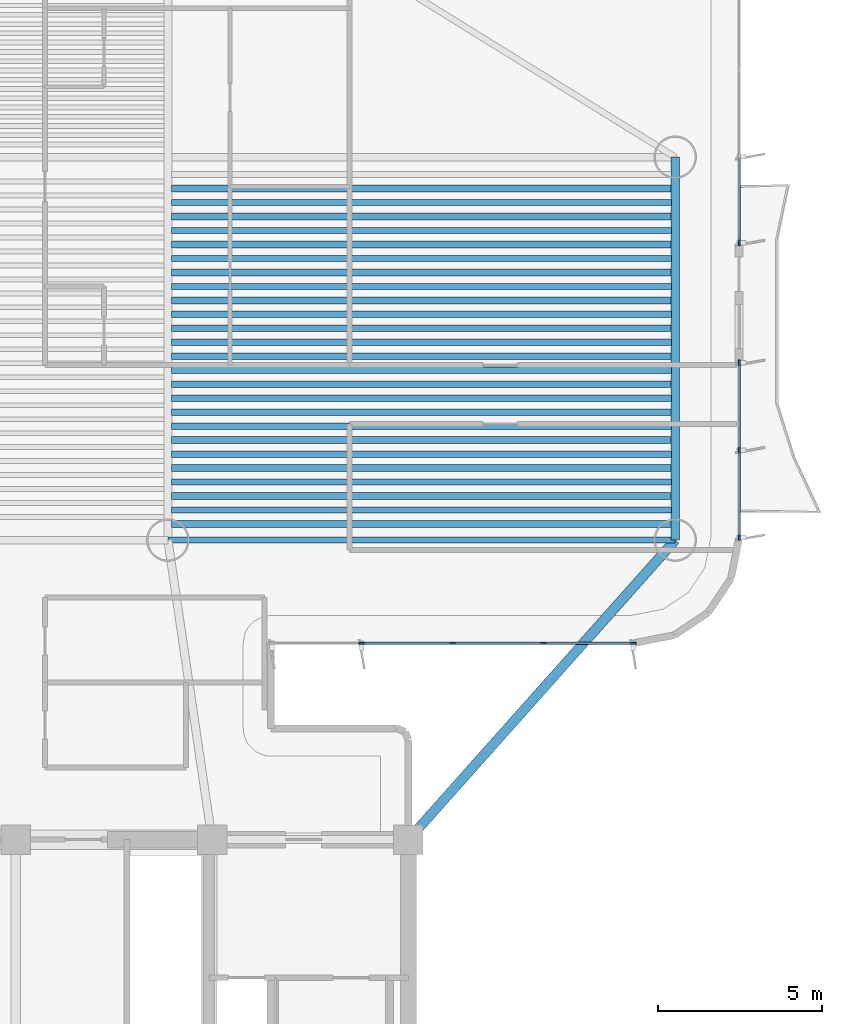
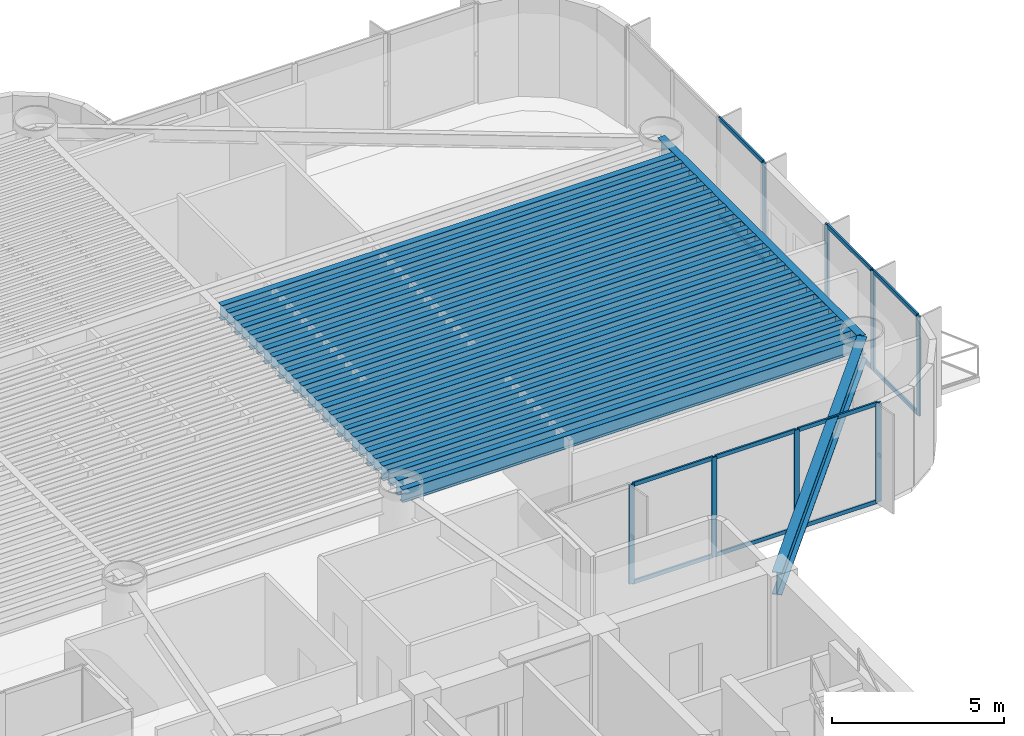
# One storey, part 4 of 16: 28 beams, 20 members, 3 elements without a shape of their own.
"""IFC4 building model written with IfcOpenShell, lengths in metres."""

from ifc_helpers import new_model, si_unit, direction, frame, origin, origin_2d, place, context, subcontext, project, spatial, rectangle, i_section, extrude, source, transform, mapped, material, layer, layer_set, material_profile, profile_set, type_object, element, aggregate, save


model = new_model("IFC4")

# Units and contexts
model_context = context("Model", 3, precision=1e-05, world=origin(), true_north=direction((0.0, 1.0)))
body_context = subcontext(model_context, "Body", "Model", "MODEL_VIEW")
ifc_project = project(units=[si_unit("LENGTHUNIT", "METRE"), si_unit("AREAUNIT", "SQUARE_METRE"), si_unit("VOLUMEUNIT", "CUBIC_METRE"), si_unit("PLANEANGLEUNIT", "RADIAN"), si_unit("MASSUNIT", "GRAM", prefix="KILO")], contexts=[model_context])

# Site, building, storey
site_placement = place(None, origin())
site = spatial("IfcSite", under=ifc_project, at=site_placement, CompositionType="ELEMENT")
building_placement = place(site_placement, origin())
building = spatial("IfcBuilding", under=site, at=building_placement, Name="Brelvock Crest Care Tower", CompositionType="ELEMENT")
storey_placement = place(building_placement, frame((0.0, 0.0, 138.9599609375)))
storey = spatial("IfcBuildingStorey", under=building, at=storey_placement, Name="L35", CompositionType="ELEMENT", Elevation=138.9599609375)

# Beams
ifc_material_1 = material(Name="Steel Grade 350", Category="steel")
ifc_material_profile_1 = material_profile(ifc_material_1, i_section(OverallWidth=0.208984375, OverallDepth=0.532958984375, WebThickness=0.01025390625, FlangeThickness=0.015625, FilletRadius=0.013916015625, at=origin_2d()), Name="530UB92.4")
ifc_profile_set_1 = profile_set([ifc_material_profile_1], Name="Steel Grade 350")
beam_type_1 = type_object("IfcBeamType", Name="BM-G2", PredefinedType="BEAM", material=ifc_profile_set_1)
shared_shape_1 = source(origin(), body_context, "Body", "SweptSolid", [
    extrude(i_section(OverallWidth=0.208984375, OverallDepth=0.532958984375, WebThickness=0.01025390625, FlangeThickness=0.015625, FilletRadius=0.013916015625, at=origin_2d()), origin(), (0.0, 0.0, 1.0), 15.27001953125),
])
for number, where, z_axis, x_axis, name in (
    (1, (40.764892578125, 27.641357421875, 3.263427734375), (1.0, 0.0, 0.0), (0.0, 1.0, 0.0), "BM-JE-L35-1"),
    (2, (40.764892578125, 28.49560546875, 3.263427734375), (1.0, 0.0, 0.0), (0.0, 1.0, 0.0), "BM-JE-L35-3"),
    (3, (40.764892578125, 29.349609375, 3.263427734375), (1.0, 0.0, 0.0), (0.0, 1.0, 0.0), "BM-JE-L35-5"),
    (4, (40.764892578125, 30.20361328125, 3.263427734375), (1.0, 0.0, 0.0), (0.0, 1.0, 0.0), "BM-JE-L35-7"),
    (5, (40.764892578125, 31.057861328125, 3.263427734375), (1.0, 0.0, 0.0), (0.0, 1.0, 0.0), "BM-JE-L35-9"),
    (6, (40.764892578125, 31.911865234375, 3.263427734375), (1.0, 0.0, 0.0), (0.0, 1.0, 0.0), "BM-JE-L35-11"),
    (7, (40.764892578125, 32.76611328125, 3.263427734375), (1.0, 0.0, 0.0), (0.0, 1.0, 0.0), "BM-JE-L35-13"),
    (8, (40.764892578125, 33.6201171875, 3.263427734375), (1.0, 0.0, 0.0), (0.0, 1.0, 0.0), "BM-JE-L35-15"),
    (9, (40.764892578125, 34.47412109375, 3.263427734375), (1.0, 0.0, 0.0), (0.0, 1.0, 0.0), "BM-JE-L35-17"),
    (10, (40.764892578125, 35.328369140625, 3.263427734375), (1.0, 0.0, 0.0), (0.0, 1.0, 0.0), "BM-JE-L35-19"),
    (11, (40.764892578125, 36.182373046875, 3.263427734375), (1.0, 0.0, 0.0), (0.0, 1.0, 0.0), "BM-JE-L35-21"),
    (12, (40.764892578125, 37.03662109375, 3.263427734375), (1.0, 0.0, 0.0), (0.0, 1.0, 0.0), "BM-JE-L35-23"),
    (13, (40.764892578125, 37.890625, 3.263427734375), (1.0, 0.0, 0.0), (0.0, 1.0, 0.0), "BM-JE-L35-25"),
):
    element("IfcBeam", number, at=place(storey_placement, frame(where, z_axis=z_axis, x_axis=x_axis)), inside=storey, type_object=beam_type_1, Name=name, PredefinedType="BEAM", context=body_context, shape_type="MappedRepresentation", body=[
        mapped(shared_shape_1, transform((0.0, 0.0, 0.0), x_axis=(1.0, 0.0, 0.0), y_axis=(0.0, 1.0, 0.0), z_axis=(0.0, 0.0, 1.0), scale=1.0)),
    ])
ifc_material_profile_2 = material_profile(ifc_material_1, i_section(OverallWidth=0.19091796875, OverallDepth=0.4599609375, WebThickness=0.010009765625, FlangeThickness=0.01611328125, FilletRadius=0.011474609375, at=origin_2d()), Name="460UB82.1")
ifc_profile_set_2 = profile_set([ifc_material_profile_2], Name="Steel Grade 350")
beam_type_2 = type_object("IfcBeamType", Name="BM-G3", PredefinedType="BEAM", material=ifc_profile_set_2)
shared_shape_2 = source(origin(), body_context, "Body", "SweptSolid", [
    extrude(i_section(OverallWidth=0.19091796875, OverallDepth=0.4599609375, WebThickness=0.010009765625, FlangeThickness=0.01611328125, FilletRadius=0.011474609375, at=origin_2d()), origin(), (0.0, 0.0, 1.0), 15.27001953125),
])
for number, where, z_axis, x_axis, name in (
    (14, (40.764892578125, 28.068359375, 3.300048828125), (1.0, 0.0, 0.0), (0.0, 1.0, 0.0), "BM-JE-L35-2"),
    (15, (40.764892578125, 28.922607421875, 3.300048828125), (1.0, 0.0, 0.0), (0.0, 1.0, 0.0), "BM-JE-L35-4"),
    (16, (40.764892578125, 29.776611328125, 3.300048828125), (1.0, 0.0, 0.0), (0.0, 1.0, 0.0), "BM-JE-L35-6"),
    (17, (40.764892578125, 30.630615234375, 3.300048828125), (1.0, 0.0, 0.0), (0.0, 1.0, 0.0), "BM-JE-L35-8"),
    (18, (40.764892578125, 31.48486328125, 3.300048828125), (1.0, 0.0, 0.0), (0.0, 1.0, 0.0), "BM-JE-L35-10"),
    (19, (40.764892578125, 32.3388671875, 3.300048828125), (1.0, 0.0, 0.0), (0.0, 1.0, 0.0), "BM-JE-L35-12"),
    (20, (40.764892578125, 33.193115234375, 3.300048828125), (1.0, 0.0, 0.0), (0.0, 1.0, 0.0), "BM-JE-L35-14"),
    (21, (40.764892578125, 34.047119140625, 3.300048828125), (1.0, 0.0, 0.0), (0.0, 1.0, 0.0), "BM-JE-L35-16"),
    (22, (40.764892578125, 34.901123046875, 3.300048828125), (1.0, 0.0, 0.0), (0.0, 1.0, 0.0), "BM-JE-L35-18"),
    (23, (40.764892578125, 35.75537109375, 3.300048828125), (1.0, 0.0, 0.0), (0.0, 1.0, 0.0), "BM-JE-L35-20"),
    (24, (40.764892578125, 36.609619140625, 3.300048828125), (1.0, 0.0, 0.0), (0.0, 1.0, 0.0), "BM-JE-L35-22"),
    (25, (40.764892578125, 37.46337890625, 3.300048828125), (1.0, 0.0, 0.0), (0.0, 1.0, 0.0), "BM-JE-L35-24"),
):
    element("IfcBeam", number, at=place(storey_placement, frame(where, z_axis=z_axis, x_axis=x_axis)), inside=storey, type_object=beam_type_2, Name=name, PredefinedType="BEAM", context=body_context, shape_type="MappedRepresentation", body=[
        mapped(shared_shape_2, transform((0.0, 0.0, 0.0), x_axis=(1.0, 0.0, 0.0), y_axis=(0.0, 1.0, 0.0), z_axis=(0.0, 0.0, 1.0), scale=1.0)),
    ])
ifc_material_profile_3 = material_profile(ifc_material_1, i_section(OverallWidth=0.25, OverallDepth=0.699951171875, WebThickness=0.011962890625, FlangeThickness=0.02001953125, at=origin_2d()), Name="700WB150")
ifc_profile_set_3 = profile_set([ifc_material_profile_3], Name="Steel Grade 350")
beam_type_3 = type_object("IfcBeamType", Name="BM-G4", PredefinedType="BEAM", material=ifc_profile_set_3)
shared_shape_3 = source(origin(), body_context, "Body", "SweptSolid", [
    extrude(i_section(OverallWidth=0.25, OverallDepth=0.699951171875, WebThickness=0.011962890625, FlangeThickness=0.02001953125, at=origin_2d()), origin(), (0.0, 0.0, 1.0), 11.7001953125),
])
beam_1_placement = place(storey_placement, frame((56.14990234375, 27.14990234375, 3.179931640625), z_axis=(0.0, 1.0, 0.0), x_axis=(-1.0, 0.0, 0.0)))
element("IfcBeam", 26, at=beam_1_placement, inside=storey, type_object=beam_type_3, Name="BM-TWR-L35-02", PredefinedType="BEAM", context=body_context, shape_type="MappedRepresentation", body=[
    mapped(shared_shape_3, transform((0.0, 0.0, 0.0), x_axis=(1.0, 0.0, 0.0), y_axis=(0.0, 1.0, 0.0), z_axis=(0.0, 0.0, 1.0), scale=1.0)),
])
ifc_material_profile_4 = material_profile(ifc_material_1, i_section(OverallWidth=0.19091796875, OverallDepth=0.4599609375, WebThickness=0.010009765625, FlangeThickness=0.01611328125, FilletRadius=0.011474609375, at=origin_2d()), Name="460UB82.1")
ifc_profile_set_4 = profile_set([ifc_material_profile_4], Name="Steel Grade 350")
beam_type_4 = type_object("IfcBeamType", Name="BM-SP2", PredefinedType="SPANDREL", material=ifc_profile_set_4)
shared_shape_4 = source(origin(), body_context, "Body", "SweptSolid", [
    extrude(i_section(OverallWidth=0.19091796875, OverallDepth=0.4599609375, WebThickness=0.010009765625, FlangeThickness=0.01611328125, FilletRadius=0.011474609375, at=origin_2d()), origin(), (0.0, 0.0, 1.0), 15.5),
])
beam_2_placement = place(storey_placement, frame((40.64990234375, 27.14990234375, 3.300048828125), z_axis=(1.0, 0.0, 0.0), x_axis=(0.0, 1.0, 0.0)))
element("IfcBeam", 27, at=beam_2_placement, inside=storey, type_object=beam_type_4, Name="BM-TWR-L35-04", PredefinedType="SPANDREL", context=body_context, shape_type="MappedRepresentation", body=[
    mapped(shared_shape_4, transform((0.0, 0.0, 0.0), x_axis=(1.0, 0.0, 0.0), y_axis=(0.0, 1.0, 0.0), z_axis=(0.0, 0.0, 1.0), scale=1.0)),
])
ifc_material_profile_5 = material_profile(ifc_material_1, i_section(OverallWidth=0.300048828125, OverallDepth=0.800048828125, WebThickness=0.013916015625, FlangeThickness=0.02197265625, at=origin_2d()), Name="800WB192")
ifc_profile_set_5 = profile_set([ifc_material_profile_5], Name="Steel Grade 350")
beam_type_5 = type_object("IfcBeamType", Name="BM-G5", PredefinedType="BEAM", material=ifc_profile_set_5)
shared_shape_5 = source(origin(), body_context, "Body", "SweptSolid", [
    extrude(i_section(OverallWidth=0.300048828125, OverallDepth=0.800048828125, WebThickness=0.013916015625, FlangeThickness=0.02197265625, at=origin_2d()), origin(), (0.0, 0.0, 1.0), 12.253173828125),
])
beam_3_placement = place(storey_placement, frame((48.0, 18.0, 3.130126953125), z_axis=(0.665122829149, 0.746733970129, 0.0), x_axis=(-0.746733970129, 0.665122829149, 0.0)))
element("IfcBeam", 28, at=beam_3_placement, inside=storey, type_object=beam_type_5, Name="BM-THRO-E-L35", PredefinedType="BEAM", context=body_context, shape_type="MappedRepresentation", body=[
    mapped(shared_shape_5, transform((0.0, 0.0, 0.0), x_axis=(1.0, 0.0, 0.0), y_axis=(0.0, 1.0, 0.0), z_axis=(0.0, 0.0, 1.0), scale=1.0)),
])

# Curtain wall, member
ifc_material_2 = material(Name="Dark Glass Double Glazed Low-E", Category="glass")
ifc_layer = layer(ifc_material_2, 0.2099609375, Name="CWS-3")
ifc_layer_set = layer_set([ifc_layer], Name="Dark Glass Double Glazed Low-E")
curtain_wall_type = type_object("IfcCurtainWallType", Name="CWS-3", PredefinedType="NOTDEFINED", material=ifc_layer_set)
curtain_wall_1_placement = place(storey_placement, origin())
curtain_wall_1 = element("IfcCurtainWall", 29, at=curtain_wall_1_placement, inside=storey, type_object=curtain_wall_type, Name="L35 Curtain Wall E39A", PredefinedType="NOTDEFINED")
ifc_material_3 = material(Name="Aluminium 6063-T6", Category="aluminium")
ifc_material_profile_6 = material_profile(ifc_material_3, rectangle(XDim=0.06005859375, YDim=0.179931640625, at=origin_2d()), Name="ALU60x180")
ifc_profile_set_6 = profile_set([ifc_material_profile_6], Name="Aluminium 6063-T6")
member_type_1 = type_object("IfcMemberType", Name="CWM-2", PredefinedType="MULLION", material=ifc_profile_set_6)
shared_shape_6 = source(origin(), body_context, "Body", "SweptSolid", [
    extrude(rectangle(XDim=0.06005859375, YDim=0.179931640625, at=origin_2d()), origin(), (0.0, 0.0, 1.0), 3.530029296875),
])
member_1_placement = place(storey_placement, frame((58.10009765625, 36.22998046875, 0.0), z_axis=(0.0, 0.0, 1.0), x_axis=(1.0, 0.0, 0.0)))
member_1 = element("IfcMember", 30, at=member_1_placement, type_object=member_type_1, Name="CW-3 mullion 4", PredefinedType="MULLION", context=body_context, shape_type="MappedRepresentation", body=[
    mapped(shared_shape_6, transform((0.0, 0.0, 0.0), x_axis=(1.0, 0.0, 0.0), y_axis=(0.0, 1.0, 0.0), z_axis=(0.0, 0.0, 1.0), scale=1.0)),
])

# Curtain wall, members
curtain_wall_2_placement = place(storey_placement, origin())
curtain_wall_2 = element("IfcCurtainWall", 31, at=curtain_wall_2_placement, inside=storey, type_object=curtain_wall_type, Name="L35 Curtain Wall E39B", PredefinedType="NOTDEFINED")
member_2_placement = place(storey_placement, frame((58.10009765625, 32.570068359375, 0.0), z_axis=(0.0, 0.0, 1.0), x_axis=(1.0, 0.0, 0.0)))
member_2 = element("IfcMember", 32, at=member_2_placement, type_object=member_type_1, Name="CW-3 mullion 1", PredefinedType="MULLION", context=body_context, shape_type="MappedRepresentation", body=[
    mapped(shared_shape_6, transform((0.0, 0.0, 0.0), x_axis=(1.0, 0.0, 0.0), y_axis=(0.0, 1.0, 0.0), z_axis=(0.0, 0.0, 1.0), scale=1.0)),
])
member_3_placement = place(storey_placement, frame((58.10009765625, 29.89990234375, 0.0), z_axis=(0.0, 0.0, 1.0), x_axis=(1.0, 0.0, 0.0)))
member_3 = element("IfcMember", 33, at=member_3_placement, type_object=member_type_1, Name="CW-3 mullion 2", PredefinedType="MULLION", context=body_context, shape_type="MappedRepresentation", body=[
    mapped(shared_shape_6, transform((0.0, 0.0, 0.0), x_axis=(1.0, 0.0, 0.0), y_axis=(0.0, 1.0, 0.0), z_axis=(0.0, 0.0, 1.0), scale=1.0)),
])
member_4_placement = place(storey_placement, frame((58.10009765625, 27.22998046875, 0.0), z_axis=(0.0, 0.0, 1.0), x_axis=(1.0, 0.0, 0.0)))
member_4 = element("IfcMember", 34, at=member_4_placement, type_object=member_type_1, Name="CW-3 mullion 3", PredefinedType="MULLION", context=body_context, shape_type="MappedRepresentation", body=[
    mapped(shared_shape_6, transform((0.0, 0.0, 0.0), x_axis=(1.0, 0.0, 0.0), y_axis=(0.0, 1.0, 0.0), z_axis=(0.0, 0.0, 1.0), scale=1.0)),
])

curtain_wall_3_placement = place(storey_placement, origin())
curtain_wall_3 = element("IfcCurtainWall", 35, at=curtain_wall_3_placement, inside=storey, type_object=curtain_wall_type, Name="L35 Curtain Wall E44", PredefinedType="NOTDEFINED")
member_5_placement = place(storey_placement, frame((54.8701171875, 24.0, 0.0), z_axis=(0.0, 0.0, 1.0), x_axis=(0.0, -1.0, 0.0)))
member_5 = element("IfcMember", 36, at=member_5_placement, type_object=member_type_1, Name="CW-3 mullion 1", PredefinedType="MULLION", context=body_context, shape_type="MappedRepresentation", body=[
    mapped(shared_shape_6, transform((0.0, 0.0, 0.0), x_axis=(1.0, 0.0, 0.0), y_axis=(0.0, 1.0, 0.0), z_axis=(0.0, 0.0, 1.0), scale=1.0)),
])
member_6_placement = place(storey_placement, frame((52.125, 24.0, 0.0), z_axis=(0.0, 0.0, 1.0), x_axis=(0.0, -1.0, 0.0)))
member_6 = element("IfcMember", 37, at=member_6_placement, type_object=member_type_1, Name="CW-3 mullion 2", PredefinedType="MULLION", context=body_context, shape_type="MappedRepresentation", body=[
    mapped(shared_shape_6, transform((0.0, 0.0, 0.0), x_axis=(1.0, 0.0, 0.0), y_axis=(0.0, 1.0, 0.0), z_axis=(0.0, 0.0, 1.0), scale=1.0)),
])
member_7_placement = place(storey_placement, frame((49.35009765625, 24.0, 0.0), z_axis=(0.0, 0.0, 1.0), x_axis=(0.0, -1.0, 0.0)))
member_7 = element("IfcMember", 38, at=member_7_placement, type_object=member_type_1, Name="CW-3 mullion 3", PredefinedType="MULLION", context=body_context, shape_type="MappedRepresentation", body=[
    mapped(shared_shape_6, transform((0.0, 0.0, 0.0), x_axis=(1.0, 0.0, 0.0), y_axis=(0.0, 1.0, 0.0), z_axis=(0.0, 0.0, 1.0), scale=1.0)),
])
member_8_placement = place(storey_placement, frame((46.574951171875, 24.0, 0.0), z_axis=(0.0, 0.0, 1.0), x_axis=(0.0, -1.0, 0.0)))
member_8 = element("IfcMember", 39, at=member_8_placement, type_object=member_type_1, Name="CW-3 mullion 4", PredefinedType="MULLION", context=body_context, shape_type="MappedRepresentation", body=[
    mapped(shared_shape_6, transform((0.0, 0.0, 0.0), x_axis=(1.0, 0.0, 0.0), y_axis=(0.0, 1.0, 0.0), z_axis=(0.0, 0.0, 1.0), scale=1.0)),
])
ifc_material_profile_7 = material_profile(ifc_material_3, rectangle(XDim=0.06005859375, YDim=0.139892578125, at=origin_2d()), Name="ALU60x140")
ifc_profile_set_7 = profile_set([ifc_material_profile_7], Name="Aluminium 6063-T6")
member_type_2 = type_object("IfcMemberType", Name="CWT-2", PredefinedType="USERDEFINED", material=ifc_profile_set_7)
shared_shape_7 = source(origin(), body_context, "Body", "SweptSolid", [
    extrude(rectangle(XDim=0.06005859375, YDim=0.139892578125, at=origin_2d()), origin(), (0.0, 0.0, 1.0), 2.715087890625),
])
member_9_placement = place(storey_placement, frame((52.094970703125, 24.0, 0.030029296875), z_axis=(-1.0, 0.0, 0.0), x_axis=(0.0, -1.0, 0.0)))
member_9 = element("IfcMember", 40, at=member_9_placement, type_object=member_type_2, Name="CW-3 transom 2.1", ObjectType="TRANSOM", PredefinedType="USERDEFINED", context=body_context, shape_type="MappedRepresentation", body=[
    mapped(shared_shape_7, transform((0.0, 0.0, 0.0), x_axis=(1.0, 0.0, 0.0), y_axis=(0.0, 1.0, 0.0), z_axis=(0.0, 0.0, 1.0), scale=1.0)),
])
member_10_placement = place(storey_placement, frame((52.094970703125, 24.0, 3.5), z_axis=(-1.0, 0.0, 0.0), x_axis=(0.0, -1.0, 0.0)))
member_10 = element("IfcMember", 41, at=member_10_placement, type_object=member_type_2, Name="CW-3 transom 2.2", ObjectType="TRANSOM", PredefinedType="USERDEFINED", context=body_context, shape_type="MappedRepresentation", body=[
    mapped(shared_shape_7, transform((0.0, 0.0, 0.0), x_axis=(1.0, 0.0, 0.0), y_axis=(0.0, 1.0, 0.0), z_axis=(0.0, 0.0, 1.0), scale=1.0)),
])
member_11_placement = place(storey_placement, frame((49.320068359375, 24.0, 0.030029296875), z_axis=(-1.0, 0.0, 0.0), x_axis=(0.0, -1.0, 0.0)))
member_11 = element("IfcMember", 42, at=member_11_placement, type_object=member_type_2, Name="CW-3 transom 3.1", ObjectType="TRANSOM", PredefinedType="USERDEFINED", context=body_context, shape_type="MappedRepresentation", body=[
    mapped(shared_shape_7, transform((0.0, 0.0, 0.0), x_axis=(1.0, 0.0, 0.0), y_axis=(0.0, 1.0, 0.0), z_axis=(0.0, 0.0, 1.0), scale=1.0)),
])
member_12_placement = place(storey_placement, frame((49.320068359375, 24.0, 3.5), z_axis=(-1.0, 0.0, 0.0), x_axis=(0.0, -1.0, 0.0)))
member_12 = element("IfcMember", 43, at=member_12_placement, type_object=member_type_2, Name="CW-3 transom 3.2", ObjectType="TRANSOM", PredefinedType="USERDEFINED", context=body_context, shape_type="MappedRepresentation", body=[
    mapped(shared_shape_7, transform((0.0, 0.0, 0.0), x_axis=(1.0, 0.0, 0.0), y_axis=(0.0, 1.0, 0.0), z_axis=(0.0, 0.0, 1.0), scale=1.0)),
])
shared_shape_8 = source(origin(), body_context, "Body", "SweptSolid", [
    extrude(rectangle(XDim=0.06005859375, YDim=0.139892578125, at=origin_2d()), origin(), (0.0, 0.0, 1.0), 2.68505859375),
])
member_13_placement = place(storey_placement, frame((54.840087890625, 24.0, 0.030029296875), z_axis=(-1.0, 0.0, 0.0), x_axis=(0.0, -1.0, 0.0)))
member_13 = element("IfcMember", 44, at=member_13_placement, type_object=member_type_2, Name="CW-3 transom 1.1", ObjectType="TRANSOM", PredefinedType="USERDEFINED", context=body_context, shape_type="MappedRepresentation", body=[
    mapped(shared_shape_8, transform((0.0, 0.0, 0.0), x_axis=(1.0, 0.0, 0.0), y_axis=(0.0, 1.0, 0.0), z_axis=(0.0, 0.0, 1.0), scale=1.0)),
])
member_14_placement = place(storey_placement, frame((54.840087890625, 24.0, 3.5), z_axis=(-1.0, 0.0, 0.0), x_axis=(0.0, -1.0, 0.0)))
member_14 = element("IfcMember", 45, at=member_14_placement, type_object=member_type_2, Name="CW-3 transom 1.2", ObjectType="TRANSOM", PredefinedType="USERDEFINED", context=body_context, shape_type="MappedRepresentation", body=[
    mapped(shared_shape_8, transform((0.0, 0.0, 0.0), x_axis=(1.0, 0.0, 0.0), y_axis=(0.0, 1.0, 0.0), z_axis=(0.0, 0.0, 1.0), scale=1.0)),
])
aggregate(curtain_wall_3, [member_5, member_6, member_7, member_8, member_13, member_14, member_9, member_10, member_11, member_12])

# Member
shared_shape_9 = source(origin(), body_context, "Body", "SweptSolid", [
    extrude(rectangle(XDim=0.06005859375, YDim=0.139892578125, at=origin_2d()), origin(), (0.0, 0.0, 1.0), 2.610107421875),
])
member_15_placement = place(storey_placement, frame((58.10009765625, 32.5400390625, 0.030029296875), z_axis=(0.0, -1.0, 0.0), x_axis=(1.0, 0.0, 0.0)))
member_15 = element("IfcMember", 46, at=member_15_placement, type_object=member_type_2, Name="CW-3 transom 1.1", ObjectType="TRANSOM", PredefinedType="USERDEFINED", context=body_context, shape_type="MappedRepresentation", body=[
    mapped(shared_shape_9, transform((0.0, 0.0, 0.0), x_axis=(1.0, 0.0, 0.0), y_axis=(0.0, 1.0, 0.0), z_axis=(0.0, 0.0, 1.0), scale=1.0)),
])

member_16_placement = place(storey_placement, frame((58.10009765625, 32.5400390625, 3.5), z_axis=(0.0, -1.0, 0.0), x_axis=(1.0, 0.0, 0.0)))
member_16 = element("IfcMember", 47, at=member_16_placement, type_object=member_type_2, Name="CW-3 transom 1.2", ObjectType="TRANSOM", PredefinedType="USERDEFINED", context=body_context, shape_type="MappedRepresentation", body=[
    mapped(shared_shape_9, transform((0.0, 0.0, 0.0), x_axis=(1.0, 0.0, 0.0), y_axis=(0.0, 1.0, 0.0), z_axis=(0.0, 0.0, 1.0), scale=1.0)),
])

member_17_placement = place(storey_placement, frame((58.10009765625, 29.8701171875, 0.030029296875), z_axis=(0.0, -1.0, 0.0), x_axis=(1.0, 0.0, 0.0)))
member_17 = element("IfcMember", 48, at=member_17_placement, type_object=member_type_2, Name="CW-3 transom 2.1", ObjectType="TRANSOM", PredefinedType="USERDEFINED", context=body_context, shape_type="MappedRepresentation", body=[
    mapped(shared_shape_9, transform((0.0, 0.0, 0.0), x_axis=(1.0, 0.0, 0.0), y_axis=(0.0, 1.0, 0.0), z_axis=(0.0, 0.0, 1.0), scale=1.0)),
])

member_18_placement = place(storey_placement, frame((58.10009765625, 29.8701171875, 3.5), z_axis=(0.0, -1.0, 0.0), x_axis=(1.0, 0.0, 0.0)))
member_18 = element("IfcMember", 49, at=member_18_placement, type_object=member_type_2, Name="CW-3 transom 2.2", ObjectType="TRANSOM", PredefinedType="USERDEFINED", context=body_context, shape_type="MappedRepresentation", body=[
    mapped(shared_shape_9, transform((0.0, 0.0, 0.0), x_axis=(1.0, 0.0, 0.0), y_axis=(0.0, 1.0, 0.0), z_axis=(0.0, 0.0, 1.0), scale=1.0)),
])

aggregate(curtain_wall_2, [member_2, member_3, member_4, member_15, member_16, member_17, member_18])

shared_shape_10 = source(origin(), body_context, "Body", "SweptSolid", [
    extrude(rectangle(XDim=0.06005859375, YDim=0.139892578125, at=origin_2d()), origin(), (0.0, 0.0, 1.0), 2.57666015625),
])
member_19_placement = place(storey_placement, frame((58.10009765625, 38.836669921875, 0.030029296875), z_axis=(0.0, -1.0, 0.0), x_axis=(1.0, 0.0, 0.0)))
member_19 = element("IfcMember", 50, at=member_19_placement, type_object=member_type_2, Name="CW-3 transom 3.1", ObjectType="TRANSOM", PredefinedType="USERDEFINED", context=body_context, shape_type="MappedRepresentation", body=[
    mapped(shared_shape_10, transform((0.0, 0.0, 0.0), x_axis=(1.0, 0.0, 0.0), y_axis=(0.0, 1.0, 0.0), z_axis=(0.0, 0.0, 1.0), scale=1.0)),
])

member_20_placement = place(storey_placement, frame((58.10009765625, 38.836669921875, 3.5), z_axis=(0.0, -1.0, 0.0), x_axis=(1.0, 0.0, 0.0)))
member_20 = element("IfcMember", 51, at=member_20_placement, type_object=member_type_2, Name="CW-3 transom 3.2", ObjectType="TRANSOM", PredefinedType="USERDEFINED", context=body_context, shape_type="MappedRepresentation", body=[
    mapped(shared_shape_10, transform((0.0, 0.0, 0.0), x_axis=(1.0, 0.0, 0.0), y_axis=(0.0, 1.0, 0.0), z_axis=(0.0, 0.0, 1.0), scale=1.0)),
])

aggregate(curtain_wall_1, [member_1, member_19, member_20])

save(model, "model.ifc")
